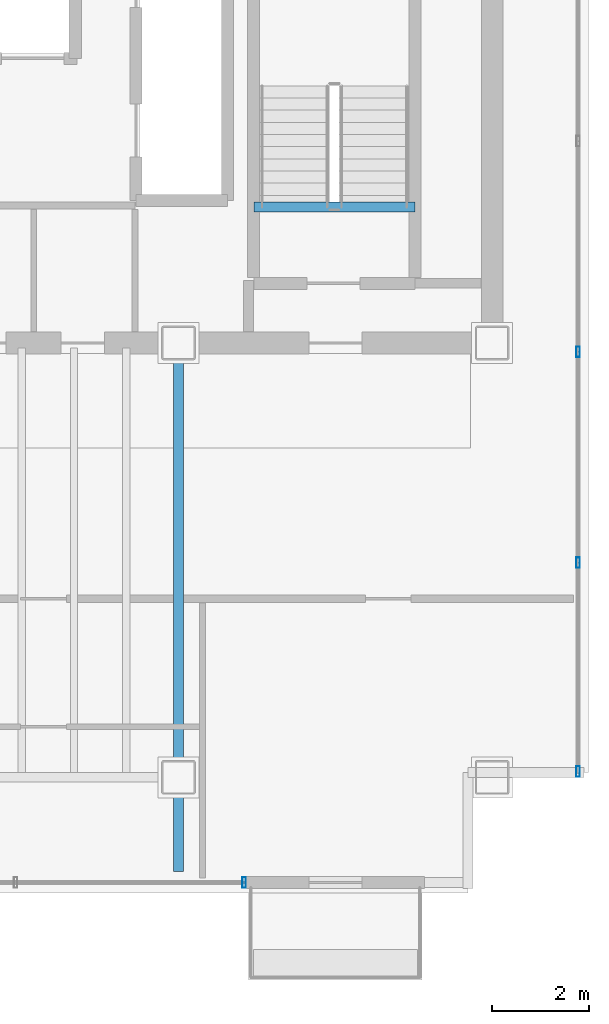
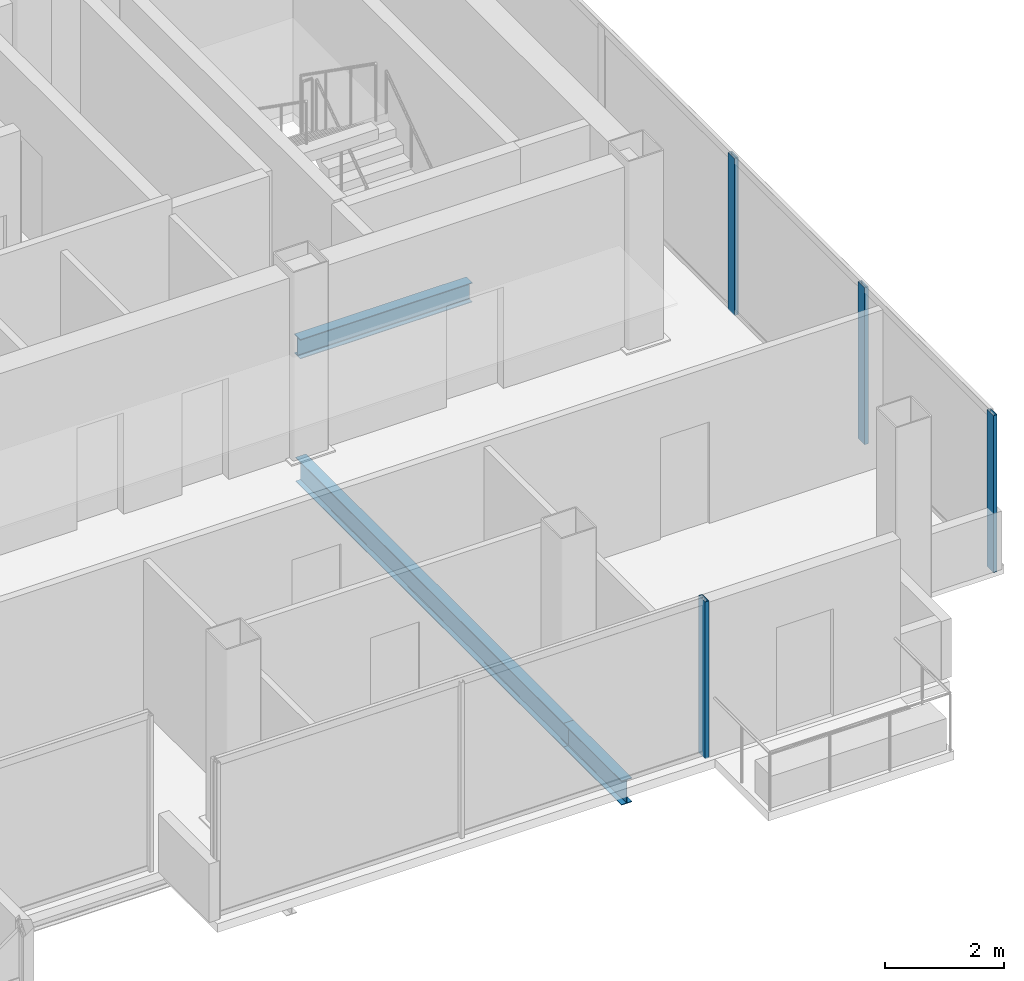
# One storey, part 11 of 17: 4 members, 3 beams, 2 elements without a shape of their own.
"""IFC4 building model written with IfcOpenShell, lengths in metres."""

import ifcopenshell
import ifcopenshell.guid

model = None  # the IFC model being written
_history = None  # IfcOwnerHistory: only IFC2X3 demands one
_inside = {}  # id of a spatial element -> (the spatial element, [elements in it])
_under = {}  # id of a project, library or spatial element -> (it, [spatial elements below it])
_declared = {}  # id of a project -> (the project, [libraries it declares])
_typed = {}  # id of a type object -> (the type object, [elements of that type])
_made_of = {}  # id of a material, layer set ... -> (it, [elements and type objects made of it])


def new_model(schema):
    """Start an empty IFC model of exactly this schema.

    Asked for "IFC4X3", IfcOpenShell would pick the latest addendum, in which some entities
    have other attributes; the version numbers below select the first issue.
    IFC2X3 requires an IfcOwnerHistory on every rooted entity: one is made here for all.
    """
    global model, _history
    if schema == "IFC4X3":
        model = ifcopenshell.file(schema_version=(4, 3, 0, 0))
    else:
        model = ifcopenshell.file(schema=schema)
    _inside.clear()
    _under.clear()
    _declared.clear()
    _typed.clear()
    _made_of.clear()
    _history = None
    if model.schema == "IFC2X3":
        org = make("IfcOrganization", Name="unknown")
        user = make(
            "IfcPersonAndOrganization",
            ThePerson=make("IfcPerson", FamilyName="unknown"),
            TheOrganization=org,
        )
        app = make(
            "IfcApplication",
            ApplicationDeveloper=org,
            Version="unknown",
            ApplicationFullName="unknown",
            ApplicationIdentifier="unknown",
        )
        _history = make(
            "IfcOwnerHistory",
            OwningUser=user,
            OwningApplication=app,
            ChangeAction="ADDED",
            CreationDate=0,
        )
    return model


def make(cls, **values):
    """One entity of the class cls with the attributes given. An attribute that is None is left unset."""
    return model.create_entity(
        cls, **{name: value for name, value in values.items() if value is not None}
    )


def rooted(cls, **values):
    """An entity with a GlobalId (a new one), such as an element, a storey or a relation."""
    return make(cls, GlobalId=ifcopenshell.guid.new(), OwnerHistory=_history, **values)


def si_unit(unit_type, name, prefix=None):
    """IfcSIUnit, for example si_unit("LENGTHUNIT", "METRE", prefix="MILLI")."""
    return make("IfcSIUnit", UnitType=unit_type, Prefix=prefix, Name=name)


def assignment(units):
    """IfcUnitAssignment: the units of a project."""
    return None if units is None else make("IfcUnitAssignment", Units=units)


def point(xyz):
    """IfcCartesianPoint."""
    return None if xyz is None else make("IfcCartesianPoint", Coordinates=xyz)


def direction(xyz):
    """IfcDirection."""
    return None if xyz is None else make("IfcDirection", DirectionRatios=xyz)


def frame(location, z_axis=None, x_axis=None):
    """IfcAxis2Placement3D, a coordinate frame: its origin and axes. An axis left out is left unset."""
    return make(
        "IfcAxis2Placement3D",
        Location=point(location),
        Axis=direction(z_axis),
        RefDirection=direction(x_axis),
    )


def frame_2d(location, x_axis=None):
    """IfcAxis2Placement2D, a coordinate frame in the plane: its origin and x axis."""
    return make(
        "IfcAxis2Placement2D", Location=point(location), RefDirection=direction(x_axis)
    )


def origin():
    """The frame at (0, 0, 0) with its axes left unset."""
    return frame((0.0, 0.0, 0.0))


def origin_2d():
    """The frame at (0, 0) in the plane with its x axis left unset."""
    return frame_2d((0.0, 0.0))


def place(relative_to, where):
    """IfcLocalPlacement: puts the frame where relative to a parent placement (None: the world)."""
    return make(
        "IfcLocalPlacement", PlacementRelTo=relative_to, RelativePlacement=where
    )


def context(
    kind, dimensions, precision=None, world=None, true_north=None, identifier=None
):
    """IfcGeometricRepresentationContext, for example the 3D "Model" context."""
    return make(
        "IfcGeometricRepresentationContext",
        ContextIdentifier=identifier,
        ContextType=kind,
        CoordinateSpaceDimension=dimensions,
        Precision=precision,
        WorldCoordinateSystem=world,
        TrueNorth=true_north,
    )


def subcontext(parent, identifier, kind, view, scale=None):
    """IfcGeometricRepresentationSubContext, for example "Body" below "Model"."""
    return make(
        "IfcGeometricRepresentationSubContext",
        ContextIdentifier=identifier,
        ContextType=kind,
        ParentContext=parent,
        TargetScale=scale,
        TargetView=view,
    )


def project(units=None, contexts=None):
    """IfcProject with its units and contexts."""
    return rooted(
        "IfcProject",
        Name="project",
        RepresentationContexts=contexts,
        UnitsInContext=assignment(units),
    )


def spatial(cls, under=None, at=None, **own):
    """A site, building, storey or space (cls), placed at a placement, below another one or the project."""
    s = rooted(cls, ObjectPlacement=at, **own)
    if under is not None:
        _under.setdefault(under.id(), (under, []))[1].append(s)
    return s


def profile(cls, at=None, kind="AREA", **sizes):
    """A parametric profile (cls). Its sizes go by their IFC names, for example OverallWidth=200.0."""
    return make(cls, ProfileType=kind, Position=at, **sizes)


def hollow_rectangle(**sizes):
    """IfcRectangleHollowProfileDef."""
    return profile("IfcRectangleHollowProfileDef", **sizes)


def i_section(**sizes):
    """IfcIShapeProfileDef."""
    return profile("IfcIShapeProfileDef", **sizes)


def extrude(swept, where, along, depth):
    """IfcExtrudedAreaSolid: the profile swept, set in the frame where, extruded along a direction by depth."""
    return make(
        "IfcExtrudedAreaSolid",
        SweptArea=swept,
        Position=where,
        ExtrudedDirection=direction(along),
        Depth=depth,
    )


def shape(context_of_items, identifier, shape_type, items):
    """IfcShapeRepresentation: the items that make up one representation, for example the "Body"."""
    return make(
        "IfcShapeRepresentation",
        ContextOfItems=context_of_items,
        RepresentationIdentifier=identifier,
        RepresentationType=shape_type,
        Items=items,
    )


def material(Name=None, Category=None):
    """IfcMaterial."""
    return make("IfcMaterial", Name=Name, Category=Category)


def material_profile(
    of_material, cross_section, Name=None, Category=None, Priority=None
):
    """IfcMaterialProfile: a cross section and its material."""
    return make(
        "IfcMaterialProfile",
        Name=Name,
        Material=of_material,
        Profile=cross_section,
        Priority=Priority,
        Category=Category,
    )


def profile_set(profiles, Name=None, composite=None):
    """IfcMaterialProfileSet."""
    return make(
        "IfcMaterialProfileSet",
        Name=Name,
        MaterialProfiles=profiles,
        CompositeProfile=composite,
    )


def made_of(thing, what):
    """Note that an element or type object is made of a material, layer set ...; save() writes the relation."""
    if what is not None:
        _made_of.setdefault(what.id(), (what, []))[1].append(thing)
    return thing


def type_object(cls, material=None, **own):
    """A type object (cls), such as IfcWallType, which elements share."""
    return made_of(rooted(cls, **own), material)


def element(
    cls,
    number,
    at=None,
    inside=None,
    cuts=None,
    type_object=None,
    material=None,
    context=None,
    identifier="Body",
    shape_type=None,
    held_by="IfcProductDefinitionShape",
    body=None,
    shapes=None,
    **own,
):
    """One element of the class cls, such as IfcWall. Its Tag is "e" and its number.

    at: its placement. inside: the storey or other place that contains it. cuts: it is an
    opening in that element (IfcRelVoidsElement). A single representation is given by context,
    identifier, shape_type and body (its items); several are given by shapes. held_by: the class
    of the entity that holds the representations. save() writes the other relations.
    """
    e = rooted(cls, Tag="e%d" % number, ObjectPlacement=at, **own)
    if body is not None:
        shapes = [shape(context, identifier, shape_type, body)]
    if shapes is not None:
        e.Representation = make(held_by, Representations=shapes)
    if inside is not None:
        _inside.setdefault(inside.id(), (inside, []))[1].append(e)
    if cuts is not None:
        rooted(
            "IfcRelVoidsElement", RelatingBuildingElement=cuts, RelatedOpeningElement=e
        )
    if type_object is not None:
        _typed.setdefault(type_object.id(), (type_object, []))[1].append(e)
    return made_of(e, material)


def aggregate(whole, parts):
    """IfcRelAggregates: a whole, such as a stair, and the parts it consists of."""
    return rooted("IfcRelAggregates", RelatingObject=whole, RelatedObjects=parts)


def save(model, path):
    """Write the relations noted so far, then the file.

    IfcRelAggregates (storeys below a building ...), IfcRelContainedInSpatialStructure (elements
    in a storey), IfcRelDefinesByType, IfcRelAssociatesMaterial and IfcRelDeclares: one each for
    every whole, place, type object, material and project.
    """
    for whole, parts in _under.values():
        aggregate(whole, parts)
    for where, things in _inside.values():
        rooted(
            "IfcRelContainedInSpatialStructure",
            RelatedElements=things,
            RelatingStructure=where,
        )
    for kind, things in _typed.values():
        rooted("IfcRelDefinesByType", RelatedObjects=things, RelatingType=kind)
    for what, things in _made_of.values():
        rooted("IfcRelAssociatesMaterial", RelatedObjects=things, RelatingMaterial=what)
    for by, libraries in _declared.values():
        rooted("IfcRelDeclares", RelatingContext=by, RelatedDefinitions=libraries)
    model.write(path)


model = new_model("IFC4")

# Units and contexts
model_context = context("Model", 3, precision=1e-05, world=origin(), true_north=direction((0.0, 1.0)))
body_context = subcontext(model_context, "Body", "Model", "MODEL_VIEW")
ifc_project = project(units=[si_unit("LENGTHUNIT", "METRE"), si_unit("AREAUNIT", "SQUARE_METRE"), si_unit("VOLUMEUNIT", "CUBIC_METRE"), si_unit("PLANEANGLEUNIT", "RADIAN"), si_unit("MASSUNIT", "GRAM", prefix="KILO")], contexts=[model_context])

# Site, building, storey
site_placement = place(None, origin())
site = spatial("IfcSite", under=ifc_project, at=site_placement, CompositionType="ELEMENT")
building_placement = place(site_placement, origin())
building = spatial("IfcBuilding", under=site, at=building_placement, Name="Noeulbin Bourse Tower", CompositionType="ELEMENT")
storey_placement = place(building_placement, frame((0.0, 0.0, 273.5)))
storey = spatial("IfcBuildingStorey", under=building, at=storey_placement, Name="L68", CompositionType="ELEMENT", Elevation=273.5)

# Beams
ifc_material_1 = material(Name="Steel S355", Category="steel")
ifc_material_profile_1 = material_profile(ifc_material_1, i_section(OverallWidth=0.199951171875, OverallDepth=0.5, WebThickness=0.010009765625, FlangeThickness=0.01611328125, FilletRadius=0.02001953125, at=origin_2d()), Name="H-500x200x10x16", Category="LoadBearing")
ifc_profile_set_1 = profile_set([ifc_material_profile_1], Name="Steel S355")
beam_type_1 = type_object("IfcBeamType", Name="BM-GRD-500", PredefinedType="USERDEFINED", material=ifc_profile_set_1)
beam_1_placement = place(storey_placement, frame((37.5, 18.050048828125, -0.429931640625), z_axis=(0.0, 1.0, 0.0), x_axis=(-1.0, 0.0, 0.0)))
element("IfcBeam", 1, at=beam_1_placement, inside=storey, type_object=beam_type_1, Name="Tower Primary Girder NS L68-4.1", ObjectType="GIRDER", PredefinedType="USERDEFINED", context=body_context, shape_type="SweptSolid", body=[
    extrude(i_section(OverallWidth=0.199951171875, OverallDepth=0.5, WebThickness=0.010009765625, FlangeThickness=0.01611328125, FilletRadius=0.02001953125, at=origin_2d()), origin(), (0.0, 0.0, 1.0), 1.949951171875),
])
beam_2_placement = place(storey_placement, frame((37.5, 20.0, -0.429931640625), z_axis=(0.0, 1.0, 0.0), x_axis=(-1.0, 0.0, 0.0)))
element("IfcBeam", 2, at=beam_2_placement, inside=storey, type_object=beam_type_1, Name="Tower Primary Girder NS L68-4.2", ObjectType="GIRDER", PredefinedType="USERDEFINED", context=body_context, shape_type="SweptSolid", body=[
    extrude(i_section(OverallWidth=0.199951171875, OverallDepth=0.5, WebThickness=0.010009765625, FlangeThickness=0.01611328125, FilletRadius=0.02001953125, at=origin_2d()), origin(), (0.0, 0.0, 1.0), 9.0),
])
ifc_material_profile_2 = material_profile(ifc_material_1, i_section(OverallWidth=0.199951171875, OverallDepth=0.39990234375, WebThickness=0.008056640625, FlangeThickness=0.012939453125, FilletRadius=0.01611328125, at=origin_2d()), Name="H-400x200x8x13", Category="LoadBearing")
ifc_profile_set_2 = profile_set([ifc_material_profile_2], Name="Steel S355")
beam_type_2 = type_object("IfcBeamType", Name="BM-SEC-400", PredefinedType="BEAM", material=ifc_profile_set_2)
beam_3_placement = place(storey_placement, frame((39.06005859375, 31.820068359375, -0.199951171875), z_axis=(1.0, 0.0, 0.0), x_axis=(0.0, 1.0, 0.0)))
element("IfcBeam", 3, at=beam_3_placement, inside=storey, type_object=beam_type_2, Name="Stair Threshold Trimmer Beam ST2-L68", PredefinedType="BEAM", context=body_context, shape_type="SweptSolid", body=[
    extrude(i_section(OverallWidth=0.199951171875, OverallDepth=0.39990234375, WebThickness=0.008056640625, FlangeThickness=0.012939453125, FilletRadius=0.01611328125, at=origin_2d()), origin(), (0.0, 0.0, 1.0), 3.33984375),
])

# Curtain wall, member
ifc_material_2 = material(Name="High-Selectivity Low-Iron Glazing", Category="glass")
curtain_wall_type = type_object("IfcCurtainWallType", Name="CW-SYS-4", PredefinedType="NOTDEFINED", material=ifc_material_2)
curtain_wall_1_placement = place(storey_placement, origin())
curtain_wall_1 = element("IfcCurtainWall", 4, at=curtain_wall_1_placement, inside=storey, type_object=curtain_wall_type, Name="Unitised Curtain Wall CW-L68-S2", PredefinedType="NOTDEFINED")
ifc_material_3 = material(Name="Anodised Aluminium 6063-T6", Category="aluminium")
ifc_material_profile_3 = material_profile(ifc_material_3, hollow_rectangle(XDim=0.074951171875, YDim=0.219970703125, WallThickness=0.0048828125, InnerFilletRadius=0.00244140625, OuterFilletRadius=0.0048828125, at=origin_2d()), Name="ALU-MULL-75x220x5", Category="LoadBearing")
ifc_profile_set_3 = profile_set([ifc_material_profile_3], Name="Anodised Aluminium 6063-T6")
member_type = type_object("IfcMemberType", Name="CW-SYS-4-MUL", PredefinedType="MULLION", material=ifc_profile_set_3)
member_1_placement = place(storey_placement, frame((38.860107421875, 17.820068359375, -0.02001953125), z_axis=(0.0, 0.0, 1.0), x_axis=(1.0, 0.0, 0.0)))
member_1 = element("IfcMember", 5, at=member_1_placement, type_object=member_type, Name="Curtain Wall Mullion CW-L68-S2-M02", PredefinedType="MULLION", context=body_context, shape_type="SweptSolid", body=[
    extrude(hollow_rectangle(XDim=0.074951171875, YDim=0.219970703125, WallThickness=0.0048828125, InnerFilletRadius=0.00244140625, OuterFilletRadius=0.0048828125, at=origin_2d()), origin(), (0.0, 0.0, 1.0), 3.219970703125),
])
aggregate(curtain_wall_1, [member_1])

# Curtain wall, members
curtain_wall_2_placement = place(storey_placement, origin())
curtain_wall_2 = element("IfcCurtainWall", 6, at=curtain_wall_2_placement, inside=storey, type_object=curtain_wall_type, Name="Unitised Curtain Wall CW-L68-E", PredefinedType="NOTDEFINED")
member_2_placement = place(storey_placement, frame((45.780029296875, 20.1201171875, -0.02001953125), z_axis=(0.0, 0.0, 1.0), x_axis=(1.0, 0.0, 0.0)))
member_2 = element("IfcMember", 7, at=member_2_placement, type_object=member_type, Name="Curtain Wall Mullion CW-L68-E-M00", PredefinedType="MULLION", context=body_context, shape_type="SweptSolid", body=[
    extrude(hollow_rectangle(XDim=0.074951171875, YDim=0.219970703125, WallThickness=0.0048828125, InnerFilletRadius=0.00244140625, OuterFilletRadius=0.0048828125, at=origin_2d()), origin(), (0.0, 0.0, 1.0), 3.219970703125),
])
member_3_placement = place(storey_placement, frame((45.780029296875, 24.447998046875, -0.02001953125), z_axis=(0.0, 0.0, 1.0), x_axis=(1.0, 0.0, 0.0)))
member_3 = element("IfcMember", 8, at=member_3_placement, type_object=member_type, Name="Curtain Wall Mullion CW-L68-E-M01", PredefinedType="MULLION", context=body_context, shape_type="SweptSolid", body=[
    extrude(hollow_rectangle(XDim=0.074951171875, YDim=0.219970703125, WallThickness=0.0048828125, InnerFilletRadius=0.00244140625, OuterFilletRadius=0.0048828125, at=origin_2d()), origin(), (0.0, 0.0, 1.0), 3.219970703125),
])
member_4_placement = place(storey_placement, frame((45.780029296875, 28.81591796875, -0.02001953125), z_axis=(0.0, 0.0, 1.0), x_axis=(1.0, 0.0, 0.0)))
member_4 = element("IfcMember", 9, at=member_4_placement, type_object=member_type, Name="Curtain Wall Mullion CW-L68-E-M02", PredefinedType="MULLION", context=body_context, shape_type="SweptSolid", body=[
    extrude(hollow_rectangle(XDim=0.074951171875, YDim=0.219970703125, WallThickness=0.0048828125, InnerFilletRadius=0.00244140625, OuterFilletRadius=0.0048828125, at=origin_2d()), origin(), (0.0, 0.0, 1.0), 3.219970703125),
])
aggregate(curtain_wall_2, [member_2, member_3, member_4])

save(model, "model.ifc")
